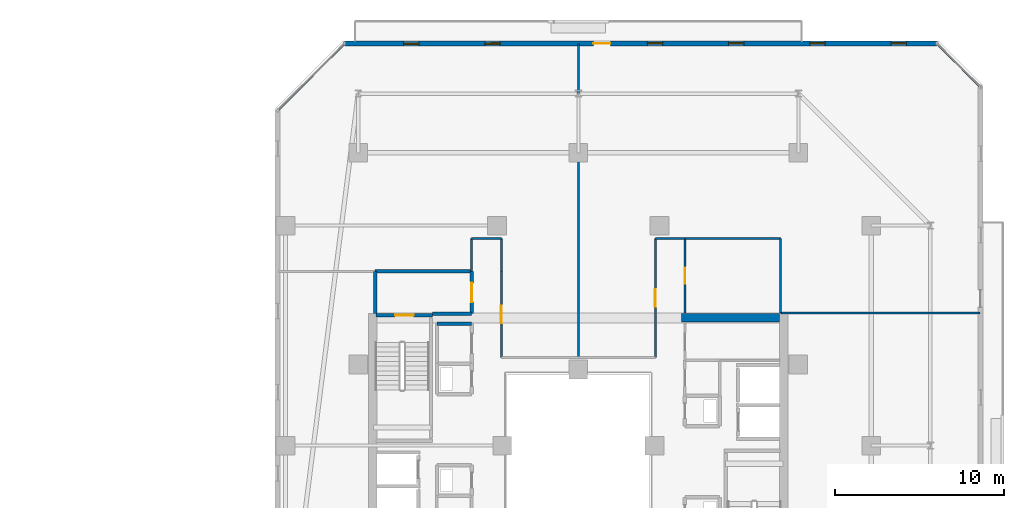
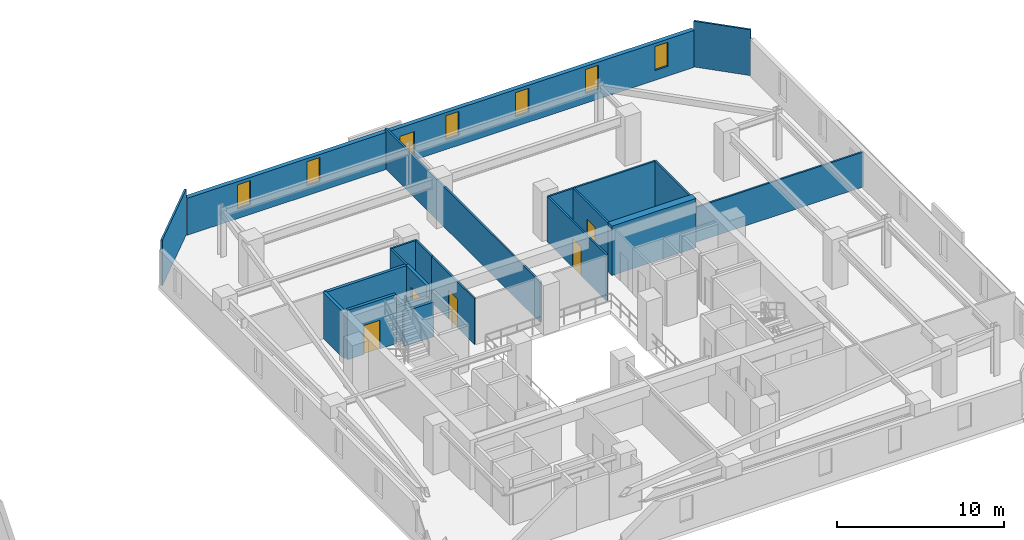
# One storey, part 25 of 32: 21 walls, 6 doors, 6 windows, 12 openings.
"""IFC4 building model written with IfcOpenShell, lengths in metres."""

from ifc_helpers import new_model, si_unit, direction, frame, frame_2d, origin, place, context, subcontext, project, spatial, rectangle, extrude, material, layer, layer_set, type_object, element, fill, save


model = new_model("IFC4")

# Units and contexts
model_context = context("Model", 3, precision=1e-05, world=origin(), true_north=direction((0.0, 1.0)))
body_context = subcontext(model_context, "Body", "Model", "MODEL_VIEW")
ifc_project = project(units=[si_unit("LENGTHUNIT", "METRE"), si_unit("AREAUNIT", "SQUARE_METRE"), si_unit("VOLUMEUNIT", "CUBIC_METRE"), si_unit("PLANEANGLEUNIT", "RADIAN"), si_unit("MASSUNIT", "GRAM", prefix="KILO")], contexts=[model_context])

# Site, building, storey
site_placement = place(None, origin())
site = spatial("IfcSite", under=ifc_project, at=site_placement, CompositionType="ELEMENT")
building_placement = place(site_placement, origin())
building = spatial("IfcBuilding", under=site, at=building_placement, Name="Thornwick Lancets Civic Towers", CompositionType="ELEMENT")
storey_placement = place(building_placement, frame((0.0, 0.0, 152.699951171875)))
storey = spatial("IfcBuildingStorey", under=building, at=storey_placement, Name="L40", CompositionType="ELEMENT", Elevation=152.699951171875)

# Wall
ifc_material_1 = material(Name="Concrete blockwork C40/50", Category="masonry")
ifc_layer_1 = layer(ifc_material_1, 0.199951171875, Name="Concrete blockwork C40/50")
ifc_layer_set_1 = layer_set([ifc_layer_1], Name="Concrete blockwork C40/50")
wall_type_1 = type_object("IfcWallType", Name="WALL_COMP_200", PredefinedType="STANDARD", material=ifc_layer_set_1)
wall_1_placement = place(storey_placement, frame((79.89990234375, 34.800048828125, 0.0), z_axis=(0.0, 0.0, 1.0), x_axis=(1.0, 0.0, 0.0)))
element("IfcWall", 1, at=wall_1_placement, inside=storey, type_object=wall_type_1, Name="L40 Partition L40-B-FFLOB2 E1", PredefinedType="STANDARD", context=body_context, shape_type="SweptSolid", body=[
    extrude(rectangle(XDim=2.300048828125, YDim=0.199951171875, at=frame_2d((1.14990234375, 0.0))), origin(), (0.0, 0.0, 1.0), 2.545166015625),
])

# Wall, opening, door
wall_2_placement = place(storey_placement, frame((82.199951171875, 34.800048828125, 0.0), z_axis=(0.0, 0.0, 1.0), x_axis=(0.0, 1.0, 0.0)))
wall_2 = element("IfcWall", 2, at=wall_2_placement, inside=storey, type_object=wall_type_1, Name="L40 Partition L40-B-FFLOB2 E2", PredefinedType="STANDARD", context=body_context, shape_type="SweptSolid", body=[
    extrude(rectangle(XDim=2.5, YDim=0.199951171875, at=frame_2d((1.25, 0.0))), origin(), (0.0, 0.0, 1.0), 3.340087890625),
])
opening_1_placement = place(wall_2_placement, frame((0.675048828125, 0.0, 0.0)))
opening_1 = element("IfcOpeningElement", 3, at=opening_1_placement, cuts=wall_2, Name="Opening D-L40-1805", PredefinedType="OPENING", context=body_context, shape_type="SweptSolid", body=[
    extrude(rectangle(XDim=1.14990234375, YDim=2.10009765625, at=frame_2d((0.574951171875, 1.050048828125))), frame((0.0, 0.10986328125, 0.0), z_axis=(0.0, -1.0, 0.0), x_axis=(1.0, 0.0, 0.0)), (0.0, 0.0, 1.0), 0.219970703125),
])
ifc_material_2 = material(Name="Glazed fire-resisting steel", Category="steel")
door_type_1 = type_object("IfcDoorType", Name="DOOR_LOBBY_FD60", OperationType="NOTDEFINED", PredefinedType="DOOR", material=ifc_material_2)
door_1_placement = place(opening_1_placement, origin())
door_1 = element("IfcDoor", 4, at=door_1_placement, inside=storey, type_object=door_type_1, Name="L40 West Firefighting Lobby 2 Door", OperationType="SINGLE_SWING_RIGHT", OverallHeight=2.10009765625, OverallWidth=1.14990234375, PredefinedType="DOOR", context=body_context, shape_type="SweptSolid", body=[
    extrude(rectangle(XDim=1.14990234375, YDim=2.10009765625, at=frame_2d((0.574951171875, 1.050048828125))), frame((0.0, 0.02490234375, 0.0), z_axis=(0.0, -1.0, 0.0), x_axis=(1.0, 0.0, 0.0)), (0.0, 0.0, 1.0), 0.050048828125),
])
fill(opening_1, door_1)

# Walls
wall_3_placement = place(storey_placement, frame((82.199951171875, 37.300048828125, 0.0), z_axis=(0.0, 0.0, 1.0), x_axis=(-1.0, 0.0, 0.0)))
element("IfcWall", 5, at=wall_3_placement, inside=storey, type_object=wall_type_1, Name="L40 Partition L40-B-FFLOB2 E3", PredefinedType="STANDARD", context=body_context, shape_type="SweptSolid", body=[
    extrude(rectangle(XDim=5.699951171875, YDim=0.199951171875, at=frame_2d((2.85009765625, 0.0))), origin(), (0.0, 0.0, 1.0), 3.340087890625),
])
wall_4_placement = place(storey_placement, frame((76.5, 37.300048828125, 0.0), z_axis=(0.0, 0.0, 1.0), x_axis=(0.0, -1.0, 0.0)))
element("IfcWall", 6, at=wall_4_placement, inside=storey, type_object=wall_type_1, Name="L40 Partition L40-B-FFLOB2 E4", PredefinedType="STANDARD", context=body_context, shape_type="SweptSolid", body=[
    extrude(rectangle(XDim=2.5, YDim=0.199951171875, at=frame_2d((1.25, 0.0))), origin(), (0.0, 0.0, 1.0), 3.340087890625),
])
wall_5_placement = place(storey_placement, frame((80.14990234375, 34.199951171875, 0.0), z_axis=(0.0, 0.0, 1.0), x_axis=(1.0, 0.0, 0.0)))
element("IfcWall", 7, at=wall_5_placement, inside=storey, type_object=wall_type_1, Name="L40 Partition L40-B-STR E2", PredefinedType="STANDARD", context=body_context, shape_type="SweptSolid", body=[
    extrude(rectangle(XDim=2.050048828125, YDim=0.199951171875, at=frame_2d((1.02490234375, 0.0))), origin(), (0.0, 0.0, 1.0), 2.545166015625),
])
ifc_material_3 = material(Name="Concrete C50/60", Category="concrete")
ifc_layer_2 = layer(ifc_material_3, 0.5, Name="Concrete C50/60")
ifc_layer_set_2 = layer_set([ifc_layer_2], Name="Concrete C50/60")
wall_type_2 = type_object("IfcWallType", Name="WALL_CORE_500", PredefinedType="SHEAR", material=ifc_layer_set_2)
wall_6_placement = place(storey_placement, frame((94.60009765625, 34.550048828125, 0.0), z_axis=(0.0, 0.0, 1.0), x_axis=(1.0, 0.0, 0.0)))
element("IfcWall", 8, at=wall_6_placement, inside=storey, type_object=wall_type_2, Name="L40 Split Core B1 Shear Wall N", PredefinedType="SHEAR", context=body_context, shape_type="SweptSolid", body=[
    extrude(rectangle(XDim=5.7998046875, YDim=0.5, at=frame_2d((2.89990234375, 0.0))), origin(), (0.0, 0.0, 1.0), 3.60009765625),
])

# Wall, openings, door, windows
ifc_material_4 = material(Name="Insulated russet terracotta rainscreen on concrete C40/50", Category="masonry")
ifc_layer_3 = layer(ifc_material_4, 0.300048828125, Name="Insulated russet terracotta rainscreen on concrete C40/50")
ifc_layer_set_3 = layer_set([ifc_layer_3], Name="Insulated russet terracotta rainscreen on concrete C40/50")
wall_type_3 = type_object("IfcWallType", Name="WALL_EXT_RUSSET_300", PredefinedType="STANDARD", material=ifc_layer_set_3)
wall_7_placement = place(storey_placement, frame((109.681396484375, 50.7646484375, 0.0), z_axis=(0.0, 0.0, 1.0), x_axis=(-0.999999991209, -0.000132597301, 0.0)))
wall_7 = element("IfcWall", 9, at=wall_7_placement, inside=storey, type_object=wall_type_3, Name="L40 Tower B Terracotta Facade Wall E4", PredefinedType="STANDARD", context=body_context, shape_type="SweptSolid", body=[
    extrude(rectangle(XDim=34.983154296875, YDim=0.300048828125, at=frame_2d((17.49169921875, 0.0))), origin(), (0.0, 0.0, 1.0), 2.699951171875),
])
opening_2_placement = place(wall_7_placement, frame((19.29150390625, 0.0, 0.0)))
opening_2 = element("IfcOpeningElement", 10, at=opening_2_placement, cuts=wall_7, Name="Opening D-BL-L40-BN", PredefinedType="OPENING", context=body_context, shape_type="SweptSolid", body=[
    extrude(rectangle(XDim=1.0, YDim=2.080078125, at=frame_2d((0.5, 1.0400390625))), frame((0.0, 0.16015625, 0.0), z_axis=(0.0, -1.0, 0.0), x_axis=(1.0, 0.0, 0.0)), (0.0, 0.0, 1.0), 0.320068359375),
])
opening_3_placement = place(wall_7_placement, frame((1.800048828125, 0.0, 0.719970703125)))
opening_3 = element("IfcOpeningElement", 11, at=opening_3_placement, cuts=wall_7, Name="Opening WL-01", PredefinedType="OPENING", context=body_context, shape_type="SweptSolid", body=[
    extrude(rectangle(XDim=0.89990234375, YDim=1.75, at=frame_2d((0.449951171875, 0.875))), frame((0.0, 0.16015625, 0.0), z_axis=(0.0, -1.0, 0.0), x_axis=(1.0, 0.0, 0.0)), (0.0, 0.0, 1.0), 0.320068359375),
])
opening_4_placement = place(wall_7_placement, frame((6.60009765625, 0.0, 0.719970703125)))
opening_4 = element("IfcOpeningElement", 12, at=opening_4_placement, cuts=wall_7, Name="Opening WL-01", PredefinedType="OPENING", context=body_context, shape_type="SweptSolid", body=[
    extrude(rectangle(XDim=0.89990234375, YDim=1.75, at=frame_2d((0.449951171875, 0.875))), frame((0.0, 0.16015625, 0.0), z_axis=(0.0, -1.0, 0.0), x_axis=(1.0, 0.0, 0.0)), (0.0, 0.0, 1.0), 0.320068359375),
])
opening_5_placement = place(wall_7_placement, frame((11.39990234375, 0.0, 0.719970703125)))
opening_5 = element("IfcOpeningElement", 13, at=opening_5_placement, cuts=wall_7, Name="Opening WL-01", PredefinedType="OPENING", context=body_context, shape_type="SweptSolid", body=[
    extrude(rectangle(XDim=0.89990234375, YDim=1.75, at=frame_2d((0.449951171875, 0.875))), frame((0.0, 0.16015625, 0.0), z_axis=(0.0, -1.0, 0.0), x_axis=(1.0, 0.0, 0.0)), (0.0, 0.0, 1.0), 0.320068359375),
])
opening_6_placement = place(wall_7_placement, frame((16.199951171875, 0.0, 0.719970703125)))
opening_6 = element("IfcOpeningElement", 14, at=opening_6_placement, cuts=wall_7, Name="Opening WL-01", PredefinedType="OPENING", context=body_context, shape_type="SweptSolid", body=[
    extrude(rectangle(XDim=0.89990234375, YDim=1.75, at=frame_2d((0.449951171875, 0.875))), frame((0.0, 0.16015625, 0.0), z_axis=(0.0, -1.0, 0.0), x_axis=(1.0, 0.0, 0.0)), (0.0, 0.0, 1.0), 0.320068359375),
])
opening_7_placement = place(wall_7_placement, frame((25.800048828125, 0.0, 0.719970703125)))
opening_7 = element("IfcOpeningElement", 15, at=opening_7_placement, cuts=wall_7, Name="Opening WL-01", PredefinedType="OPENING", context=body_context, shape_type="SweptSolid", body=[
    extrude(rectangle(XDim=0.89990234375, YDim=1.75, at=frame_2d((0.449951171875, 0.875))), frame((0.0, 0.16015625, 0.0), z_axis=(0.0, -1.0, 0.0), x_axis=(1.0, 0.0, 0.0)), (0.0, 0.0, 1.0), 0.320068359375),
])
opening_8_placement = place(wall_7_placement, frame((30.60009765625, 0.0, 0.719970703125)))
opening_8 = element("IfcOpeningElement", 16, at=opening_8_placement, cuts=wall_7, Name="Opening WL-01", PredefinedType="OPENING", context=body_context, shape_type="SweptSolid", body=[
    extrude(rectangle(XDim=0.89990234375, YDim=1.75, at=frame_2d((0.449951171875, 0.875))), frame((0.0, 0.16015625, 0.0), z_axis=(0.0, -1.0, 0.0), x_axis=(1.0, 0.0, 0.0)), (0.0, 0.0, 1.0), 0.320068359375),
])
ifc_material_5 = material(Name="Thermally broken glazed loggia doorset")
door_type_2 = type_object("IfcDoorType", Name="DOOR_BALC_1000", OperationType="NOTDEFINED", PredefinedType="DOOR", material=ifc_material_5)
door_2_placement = place(opening_2_placement, origin())
door_2 = element("IfcDoor", 17, at=door_2_placement, inside=storey, type_object=door_type_2, Name="L40 Tower B Loggia Balcony Door N", OperationType="SINGLE_SWING_LEFT", OverallHeight=2.080078125, OverallWidth=1.0, PredefinedType="DOOR", context=body_context, shape_type="SweptSolid", body=[
    extrude(rectangle(XDim=1.0, YDim=2.080078125, at=frame_2d((0.5, 1.0400390625))), frame((0.0, 0.02490234375, 0.0), z_axis=(0.0, -1.0, 0.0), x_axis=(1.0, 0.0, 0.0)), (0.0, 0.0, 1.0), 0.050048828125),
])
fill(opening_2, door_2)
ifc_material_6 = material(Name="Clear low-e double glazing in bronze frame", Category="glass")
window_type = type_object("IfcWindowType", Name="WIN_LANCET_900", PartitioningType="SINGLE_PANEL", PredefinedType="WINDOW", material=ifc_material_6)
window_1_placement = place(opening_3_placement, origin())
window_1 = element("IfcWindow", 18, at=window_1_placement, inside=storey, type_object=window_type, Name="L40 Tower B Staggered Lancet Window E4-1", OverallHeight=1.75, OverallWidth=0.89990234375, PartitioningType="SINGLE_PANEL", PredefinedType="WINDOW", context=body_context, shape_type="SweptSolid", body=[
    extrude(rectangle(XDim=0.89990234375, YDim=1.75, at=frame_2d((0.449951171875, 0.875))), frame((0.0, 0.030029296875, 0.0), z_axis=(0.0, -1.0, 0.0), x_axis=(1.0, 0.0, 0.0)), (0.0, 0.0, 1.0), 0.06005859375),
])
fill(opening_3, window_1)
window_2_placement = place(opening_4_placement, origin())
window_2 = element("IfcWindow", 19, at=window_2_placement, inside=storey, type_object=window_type, Name="L40 Tower B Staggered Lancet Window E4-2", OverallHeight=1.75, OverallWidth=0.89990234375, PartitioningType="SINGLE_PANEL", PredefinedType="WINDOW", context=body_context, shape_type="SweptSolid", body=[
    extrude(rectangle(XDim=0.89990234375, YDim=1.75, at=frame_2d((0.449951171875, 0.875))), frame((0.0, 0.030029296875, 0.0), z_axis=(0.0, -1.0, 0.0), x_axis=(1.0, 0.0, 0.0)), (0.0, 0.0, 1.0), 0.06005859375),
])
fill(opening_4, window_2)
window_3_placement = place(opening_5_placement, origin())
window_3 = element("IfcWindow", 20, at=window_3_placement, inside=storey, type_object=window_type, Name="L40 Tower B Staggered Lancet Window E4-3", OverallHeight=1.75, OverallWidth=0.89990234375, PartitioningType="SINGLE_PANEL", PredefinedType="WINDOW", context=body_context, shape_type="SweptSolid", body=[
    extrude(rectangle(XDim=0.89990234375, YDim=1.75, at=frame_2d((0.449951171875, 0.875))), frame((0.0, 0.030029296875, 0.0), z_axis=(0.0, -1.0, 0.0), x_axis=(1.0, 0.0, 0.0)), (0.0, 0.0, 1.0), 0.06005859375),
])
fill(opening_5, window_3)
window_4_placement = place(opening_6_placement, origin())
window_4 = element("IfcWindow", 21, at=window_4_placement, inside=storey, type_object=window_type, Name="L40 Tower B Staggered Lancet Window E4-4", OverallHeight=1.75, OverallWidth=0.89990234375, PartitioningType="SINGLE_PANEL", PredefinedType="WINDOW", context=body_context, shape_type="SweptSolid", body=[
    extrude(rectangle(XDim=0.89990234375, YDim=1.75, at=frame_2d((0.449951171875, 0.875))), frame((0.0, 0.030029296875, 0.0), z_axis=(0.0, -1.0, 0.0), x_axis=(1.0, 0.0, 0.0)), (0.0, 0.0, 1.0), 0.06005859375),
])
fill(opening_6, window_4)
window_5_placement = place(opening_7_placement, origin())
window_5 = element("IfcWindow", 22, at=window_5_placement, inside=storey, type_object=window_type, Name="L40 Tower B Staggered Lancet Window E4-5", OverallHeight=1.75, OverallWidth=0.89990234375, PartitioningType="SINGLE_PANEL", PredefinedType="WINDOW", context=body_context, shape_type="SweptSolid", body=[
    extrude(rectangle(XDim=0.89990234375, YDim=1.75, at=frame_2d((0.449951171875, 0.875))), frame((0.0, 0.030029296875, 0.0), z_axis=(0.0, -1.0, 0.0), x_axis=(1.0, 0.0, 0.0)), (0.0, 0.0, 1.0), 0.06005859375),
])
fill(opening_7, window_5)
window_6_placement = place(opening_8_placement, origin())
window_6 = element("IfcWindow", 23, at=window_6_placement, inside=storey, type_object=window_type, Name="L40 Tower B Staggered Lancet Window E4-6", OverallHeight=1.75, OverallWidth=0.89990234375, PartitioningType="SINGLE_PANEL", PredefinedType="WINDOW", context=body_context, shape_type="SweptSolid", body=[
    extrude(rectangle(XDim=0.89990234375, YDim=1.75, at=frame_2d((0.449951171875, 0.875))), frame((0.0, 0.030029296875, 0.0), z_axis=(0.0, -1.0, 0.0), x_axis=(1.0, 0.0, 0.0)), (0.0, 0.0, 1.0), 0.06005859375),
])
fill(opening_8, window_6)

# Wall
ifc_material_7 = material(Name="Acoustic gypsum board partition")
ifc_layer_4 = layer(ifc_material_7, 0.1201171875, Name="Acoustic gypsum board partition")
ifc_layer_set_4 = layer_set([ifc_layer_4], Name="Acoustic gypsum board partition")
wall_type_4 = type_object("IfcWallType", Name="WALL_PART_120", PredefinedType="PARTITIONING", material=ifc_layer_set_4)
wall_8_placement = place(storey_placement, frame((100.449951171875, 39.25, 0.0), z_axis=(0.0, 0.0, 1.0), x_axis=(0.0, -1.0, 0.0)))
element("IfcWall", 24, at=wall_8_placement, inside=storey, type_object=wall_type_4, Name="L40 Partition L40-B-RECLAIM-L1 E1", PredefinedType="PARTITIONING", context=body_context, shape_type="SweptSolid", body=[
    extrude(rectangle(XDim=4.39990234375, YDim=0.1201171875, at=frame_2d((2.199951171875, 0.0))), origin(), (0.0, 0.0, 1.0), 3.340087890625),
])

# Wall, opening, door
wall_9_placement = place(storey_placement, frame((94.800048828125, 34.85009765625, 0.0), z_axis=(0.0, 0.0, 1.0), x_axis=(0.0, 1.0, 0.0)))
wall_9 = element("IfcWall", 25, at=wall_9_placement, inside=storey, type_object=wall_type_4, Name="L40 Partition L40-B-RECLAIM-L1 E3", PredefinedType="PARTITIONING", context=body_context, shape_type="SweptSolid", body=[
    extrude(rectangle(XDim=4.39990234375, YDim=0.1201171875, at=frame_2d((2.199951171875, 0.0))), origin(), (0.0, 0.0, 1.0), 3.340087890625),
])
opening_9_placement = place(wall_9_placement, frame((1.72509765625, 0.0, 0.0)))
opening_9 = element("IfcOpeningElement", 26, at=opening_9_placement, cuts=wall_9, Name="Opening D-L40-1820", PredefinedType="OPENING", context=body_context, shape_type="SweptSolid", body=[
    extrude(rectangle(XDim=0.949951171875, YDim=2.10009765625, at=frame_2d((0.47509765625, 1.050048828125))), frame((0.0, 0.070068359375, 0.0), z_axis=(0.0, -1.0, 0.0), x_axis=(1.0, 0.0, 0.0)), (0.0, 0.0, 1.0), 0.14013671875),
])
ifc_material_8 = material(Name="European oak acoustic doorset")
door_type_3 = type_object("IfcDoorType", Name="DOOR_OFFICE_950", OperationType="NOTDEFINED", PredefinedType="DOOR", material=ifc_material_8)
door_3_placement = place(opening_9_placement, origin())
door_3 = element("IfcDoor", 27, at=door_3_placement, inside=storey, type_object=door_type_3, Name="L40 Tower B Policy Archive and Library Door", OperationType="SINGLE_SWING_LEFT", OverallHeight=2.10009765625, OverallWidth=0.949951171875, PredefinedType="DOOR", context=body_context, shape_type="SweptSolid", body=[
    extrude(rectangle(XDim=0.949951171875, YDim=2.10009765625, at=frame_2d((0.47509765625, 1.050048828125))), frame((0.0, 0.02490234375, 0.0), z_axis=(0.0, -1.0, 0.0), x_axis=(1.0, 0.0, 0.0)), (0.0, 0.0, 1.0), 0.050048828125),
])
fill(opening_9, door_3)

# Walls
wall_10_placement = place(storey_placement, frame((94.800048828125, 39.25, 0.0), z_axis=(0.0, 0.0, 1.0), x_axis=(1.0, 0.0, 0.0)))
element("IfcWall", 28, at=wall_10_placement, inside=storey, type_object=wall_type_4, Name="L40 Partition L40-B-RECLAIM-L1 E4", PredefinedType="PARTITIONING", context=body_context, shape_type="SweptSolid", body=[
    extrude(rectangle(XDim=5.64990234375, YDim=0.1201171875, at=frame_2d((2.824951171875, 0.0))), origin(), (0.0, 0.0, 1.0), 3.340087890625),
])
wall_11_placement = place(storey_placement, frame((94.800048828125, 39.25, 0.0), z_axis=(0.0, 0.0, 1.0), x_axis=(-1.0, 0.0, 0.0)))
element("IfcWall", 29, at=wall_11_placement, inside=storey, type_object=wall_type_4, Name="L40 Partition L40-B-E1 E3", PredefinedType="PARTITIONING", context=body_context, shape_type="SweptSolid", body=[
    extrude(rectangle(XDim=1.75, YDim=0.1201171875, at=frame_2d((0.875, 0.0))), origin(), (0.0, 0.0, 1.0), 3.340087890625),
])

# Wall, opening, door
wall_12_placement = place(storey_placement, frame((93.050048828125, 39.25, 0.0), z_axis=(0.0, 0.0, 1.0), x_axis=(0.0, -1.0, 0.0)))
wall_12 = element("IfcWall", 30, at=wall_12_placement, inside=storey, type_object=wall_type_4, Name="L40 Partition L40-B-E1 E4", PredefinedType="PARTITIONING", context=body_context, shape_type="SweptSolid", body=[
    extrude(rectangle(XDim=7.050048828125, YDim=0.1201171875, at=frame_2d((3.52490234375, 0.0))), origin(), (0.0, 0.0, 1.0), 3.340087890625),
])
opening_10_placement = place(wall_12_placement, frame((3.0, 0.0, 0.0)))
opening_10 = element("IfcOpeningElement", 31, at=opening_10_placement, cuts=wall_12, Name="Opening D-L40-1823", PredefinedType="OPENING", context=body_context, shape_type="SweptSolid", body=[
    extrude(rectangle(XDim=1.050048828125, YDim=2.10009765625, at=frame_2d((0.52490234375, 1.050048828125))), frame((0.0, 0.070068359375, 0.0), z_axis=(0.0, -1.0, 0.0), x_axis=(1.0, 0.0, 0.0)), (0.0, 0.0, 1.0), 0.14013671875),
])
ifc_material_9 = material(Name="Glazed European oak executive doorset")
door_type_4 = type_object("IfcDoorType", Name="DOOR_OFFICE_1050", OperationType="NOTDEFINED", PredefinedType="DOOR", material=ifc_material_9)
door_4_placement = place(opening_10_placement, origin())
door_4 = element("IfcDoor", 32, at=door_4_placement, inside=storey, type_object=door_type_4, Name="L40 Tower B Secretariat Open Office E1 Door", OperationType="SINGLE_SWING_RIGHT", OverallHeight=2.10009765625, OverallWidth=1.050048828125, PredefinedType="DOOR", context=body_context, shape_type="SweptSolid", body=[
    extrude(rectangle(XDim=1.050048828125, YDim=2.10009765625, at=frame_2d((0.52490234375, 1.050048828125))), frame((0.0, 0.02490234375, 0.0), z_axis=(0.0, -1.0, 0.0), x_axis=(1.0, 0.0, 0.0)), (0.0, 0.0, 1.0), 0.050048828125),
])
fill(opening_10, door_4)

# Walls
wall_13_placement = place(storey_placement, frame((88.5, 32.199951171875, 0.0), z_axis=(0.0, 0.0, 1.0), x_axis=(0.0, 1.0, 0.0)))
element("IfcWall", 33, at=wall_13_placement, inside=storey, type_object=wall_type_4, Name="L40 Partition L40-B-E1 E6", PredefinedType="PARTITIONING", context=body_context, shape_type="SweptSolid", body=[
    extrude(rectangle(XDim=18.52001953125, YDim=0.1201171875, at=frame_2d((9.260009765625, 0.0))), origin(), (0.0, 0.0, 1.0), 2.93212890625),
])
wall_14_placement = place(storey_placement, frame((109.725341796875, 50.719970703125, 0.0), z_axis=(0.0, 0.0, 1.0), x_axis=(0.707106781187, -0.707106781187, 0.0)))
element("IfcWall", 34, at=wall_14_placement, inside=storey, type_object=wall_type_4, Name="L40 Partition L40-B-E1 E8", PredefinedType="PARTITIONING", context=body_context, shape_type="SweptSolid", body=[
    extrude(rectangle(XDim=3.52783203125, YDim=0.1201171875, at=frame_2d((1.763916015625, 0.0))), origin(), (0.0, 0.0, 1.0), 3.340087890625),
])
wall_15_placement = place(storey_placement, frame((112.219970703125, 34.85009765625, 0.0), z_axis=(0.0, 0.0, 1.0), x_axis=(-1.0, 0.0, 0.0)))
element("IfcWall", 35, at=wall_15_placement, inside=storey, type_object=wall_type_4, Name="L40 Partition L40-B-E1 E10", PredefinedType="PARTITIONING", context=body_context, shape_type="SweptSolid", body=[
    extrude(rectangle(XDim=11.77001953125, YDim=0.1201171875, at=frame_2d((5.885009765625, 0.0))), origin(), (0.0, 0.0, 1.0), 2.545166015625),
])

# Wall, opening, door
wall_16_placement = place(storey_placement, frame((83.949951171875, 32.199951171875, 0.0), z_axis=(0.0, 0.0, 1.0), x_axis=(0.0, 1.0, 0.0)))
wall_16 = element("IfcWall", 36, at=wall_16_placement, inside=storey, type_object=wall_type_4, Name="L40 Partition L40-B-E3 E1", PredefinedType="PARTITIONING", context=body_context, shape_type="SweptSolid", body=[
    extrude(rectangle(XDim=5.10009765625, YDim=0.1201171875, at=frame_2d((2.550048828125, 0.0))), origin(), (0.0, 0.0, 1.0), 3.340087890625),
])
opening_11_placement = place(wall_16_placement, frame((2.02490234375, 0.0, 0.0)))
opening_11 = element("IfcOpeningElement", 37, at=opening_11_placement, cuts=wall_16, Name="Opening D-L40-1824", PredefinedType="OPENING", context=body_context, shape_type="SweptSolid", body=[
    extrude(rectangle(XDim=1.050048828125, YDim=2.10009765625, at=frame_2d((0.52490234375, 1.050048828125))), frame((0.0, 0.070068359375, 0.0), z_axis=(0.0, -1.0, 0.0), x_axis=(1.0, 0.0, 0.0)), (0.0, 0.0, 1.0), 0.14013671875),
])
door_5_placement = place(opening_11_placement, origin())
door_5 = element("IfcDoor", 38, at=door_5_placement, inside=storey, type_object=door_type_4, Name="L40 Tower B Civic Seminar Room Door", OperationType="SINGLE_SWING_LEFT", OverallHeight=2.10009765625, OverallWidth=1.050048828125, PredefinedType="DOOR", context=body_context, shape_type="SweptSolid", body=[
    extrude(rectangle(XDim=1.050048828125, YDim=2.10009765625, at=frame_2d((0.52490234375, 1.050048828125))), frame((0.0, 0.02490234375, 0.0), z_axis=(0.0, -1.0, 0.0), x_axis=(1.0, 0.0, 0.0)), (0.0, 0.0, 1.0), 0.050048828125),
])
fill(opening_11, door_5)

# Walls
wall_17_placement = place(storey_placement, frame((83.949951171875, 37.300048828125, 0.0), z_axis=(0.0, 0.0, 1.0), x_axis=(0.0, 1.0, 0.0)))
element("IfcWall", 39, at=wall_17_placement, inside=storey, type_object=wall_type_4, Name="L40 Partition L40-B-E3 E2", PredefinedType="PARTITIONING", context=body_context, shape_type="SweptSolid", body=[
    extrude(rectangle(XDim=1.949951171875, YDim=0.1201171875, at=frame_2d((0.97509765625, 0.0))), origin(), (0.0, 0.0, 1.0), 3.340087890625),
])
wall_18_placement = place(storey_placement, frame((83.949951171875, 39.25, 0.0), z_axis=(0.0, 0.0, 1.0), x_axis=(-1.0, 0.0, 0.0)))
element("IfcWall", 40, at=wall_18_placement, inside=storey, type_object=wall_type_4, Name="L40 Partition L40-B-E3 E3", PredefinedType="PARTITIONING", context=body_context, shape_type="SweptSolid", body=[
    extrude(rectangle(XDim=1.75, YDim=0.1201171875, at=frame_2d((0.875, 0.0))), origin(), (0.0, 0.0, 1.0), 3.340087890625),
])
wall_19_placement = place(storey_placement, frame((82.199951171875, 39.25, 0.0), z_axis=(0.0, 0.0, 1.0), x_axis=(0.0, -1.0, 0.0)))
element("IfcWall", 41, at=wall_19_placement, inside=storey, type_object=wall_type_4, Name="L40 Partition L40-B-E3 E4", PredefinedType="PARTITIONING", context=body_context, shape_type="SweptSolid", body=[
    extrude(rectangle(XDim=1.949951171875, YDim=0.1201171875, at=frame_2d((0.97509765625, 0.0))), origin(), (0.0, 0.0, 1.0), 3.340087890625),
])
wall_20_placement = place(storey_placement, frame((70.780029296875, 46.84033203125, 0.0), z_axis=(0.0, 0.0, 1.0), x_axis=(0.707106781187, 0.707106781187, 0.0)))
element("IfcWall", 42, at=wall_20_placement, inside=storey, type_object=wall_type_4, Name="L40 Partition L40-B-E3 E8", PredefinedType="PARTITIONING", context=body_context, shape_type="SweptSolid", body=[
    extrude(rectangle(XDim=5.486572265625, YDim=0.1201171875, at=frame_2d((2.7431640625, 0.0))), origin(), (0.0, 0.0, 1.0), 3.340087890625),
])

# Wall, opening, door
ifc_material_10 = material(Name="Concrete C40/50", Category="concrete")
ifc_layer_5 = layer(ifc_material_10, 0.199951171875, Name="Concrete C40/50")
ifc_layer_set_5 = layer_set([ifc_layer_5], Name="Concrete C40/50")
wall_type_5 = type_object("IfcWallType", Name="WALL_SHAFT_200", PredefinedType="SHEAR", material=ifc_layer_set_5)
wall_21_placement = place(storey_placement, frame((76.550048828125, 34.699951171875, 0.0), z_axis=(0.0, 0.0, 1.0), x_axis=(1.0, 0.0, 0.0)))
wall_21 = element("IfcWall", 43, at=wall_21_placement, inside=storey, type_object=wall_type_5, Name="L40 ST-B2 Fire Stair Core Wall NEAR", PredefinedType="SHEAR", context=body_context, shape_type="SweptSolid", body=[
    extrude(rectangle(XDim=3.349853515625, YDim=0.199951171875, at=frame_2d((1.6748046875, 0.0))), origin(), (0.0, 0.0, 1.0), 3.60009765625),
])
opening_12_placement = place(wall_21_placement, frame((1.125, 0.0, 0.0)))
opening_12 = element("IfcOpeningElement", 44, at=opening_12_placement, cuts=wall_21, Name="Opening D-ST-B2-L40", PredefinedType="OPENING", context=body_context, shape_type="SweptSolid", body=[
    extrude(rectangle(XDim=1.10009765625, YDim=2.10009765625, at=frame_2d((0.550048828125, 1.050048828125))), frame((0.0, 0.10986328125, 0.0), z_axis=(0.0, -1.0, 0.0), x_axis=(1.0, 0.0, 0.0)), (0.0, 0.0, 1.0), 0.219970703125),
])
ifc_material_11 = material(Name="Fire-resisting steel and hardwood", Category="steel")
door_type_5 = type_object("IfcDoorType", Name="DOOR_STAIR_FD60", OperationType="NOTDEFINED", PredefinedType="DOOR", material=ifc_material_11)
door_6_placement = place(opening_12_placement, origin())
door_6 = element("IfcDoor", 45, at=door_6_placement, inside=storey, type_object=door_type_5, Name="L40 ST-B2 Exit Stair Door", OperationType="SINGLE_SWING_LEFT", OverallHeight=2.10009765625, OverallWidth=1.10009765625, PredefinedType="DOOR", context=body_context, shape_type="SweptSolid", body=[
    extrude(rectangle(XDim=1.10009765625, YDim=2.10009765625, at=frame_2d((0.550048828125, 1.050048828125))), frame((0.0, 0.02490234375, 0.0), z_axis=(0.0, -1.0, 0.0), x_axis=(1.0, 0.0, 0.0)), (0.0, 0.0, 1.0), 0.050048828125),
])
fill(opening_12, door_6)

save(model, "model.ifc")
